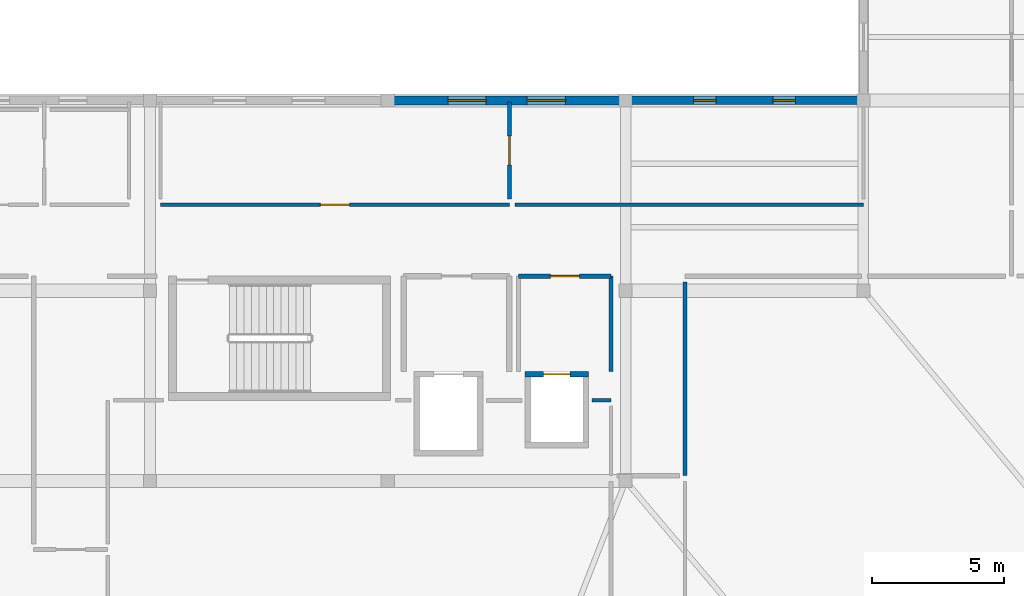
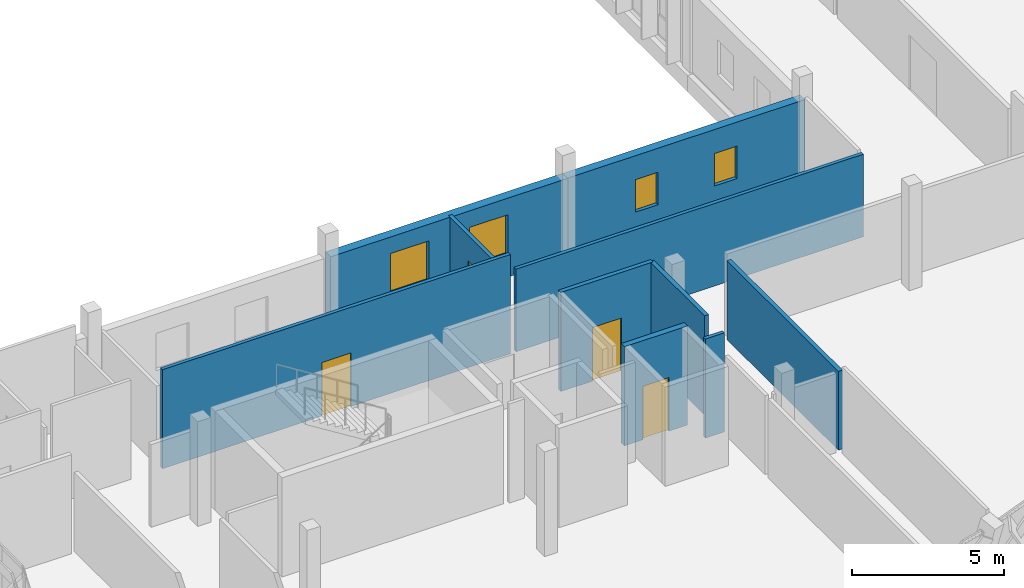
# One storey, part 20 of 24: 10 walls, 4 doors, 4 windows, 8 openings.
"""IFC4 building model written with IfcOpenShell, lengths in metres."""

from ifc_helpers import new_model, si_unit, direction, frame, frame_2d, origin, place, context, subcontext, project, spatial, rectangle, extrude, material, layer, layer_set, type_object, element, fill, save


model = new_model("IFC4")

# Units and contexts
model_context = context("Model", 3, precision=1e-05, world=origin(), true_north=direction((0.0, 1.0)))
body_context = subcontext(model_context, "Body", "Model", "MODEL_VIEW")
ifc_project = project(units=[si_unit("LENGTHUNIT", "METRE"), si_unit("AREAUNIT", "SQUARE_METRE"), si_unit("VOLUMEUNIT", "CUBIC_METRE"), si_unit("PLANEANGLEUNIT", "RADIAN"), si_unit("MASSUNIT", "GRAM", prefix="KILO")], contexts=[model_context])

# Site, building, storey
site_placement = place(None, origin())
site = spatial("IfcSite", under=ifc_project, at=site_placement, CompositionType="ELEMENT")
building_placement = place(site_placement, origin())
building = spatial("IfcBuilding", under=site, at=building_placement, Name="Chiffa Square Polytechnic", CompositionType="ELEMENT")
storey_placement = place(building_placement, frame((0.0, 0.0, 22.199951171875)))
storey = spatial("IfcBuildingStorey", under=building, at=storey_placement, Name="L05", CompositionType="ELEMENT", Elevation=22.199951171875)

# Wall, openings, windows
ifc_material_1 = material(Name="Precast concrete C40/50", Category="concrete")
ifc_layer_1 = layer(ifc_material_1, 0.320068359375, Name="Precast concrete C40/50")
ifc_layer_set_1 = layer_set([ifc_layer_1], Name="Precast concrete C40/50")
wall_type_1 = type_object("IfcWallType", Name="WL-EXT-PC320", PredefinedType="SOLIDWALL", material=ifc_layer_set_1)
wall_1_placement = place(storey_placement, frame((148.199951171875, 28.800048828125, 0.0), z_axis=(0.0, 0.0, 1.0), x_axis=(-1.0, 0.0, 0.0)))
wall_1 = element("IfcWall", 1, at=wall_1_placement, inside=storey, type_object=wall_type_1, Name="Exterior wall WE-V1-L05-0079", PredefinedType="SOLIDWALL", context=body_context, shape_type="SweptSolid", body=[
    extrude(rectangle(XDim=9.0, YDim=0.320068359375, at=frame_2d((4.5, 0.0))), origin(), (0.0, 0.0, 1.0), 3.1650390625),
])
opening_1_placement = place(wall_1_placement, frame((2.574951171875, 0.0, 0.89990234375)))
opening_1 = element("IfcOpeningElement", 2, at=opening_1_placement, cuts=wall_1, Name="Opening W-22", PredefinedType="OPENING", context=body_context, shape_type="SweptSolid", body=[
    extrude(rectangle(XDim=0.85009765625, YDim=1.300048828125, at=frame_2d((0.425048828125, 0.64990234375))), frame((0.0, 0.169921875, 0.0), z_axis=(0.0, -1.0, 0.0), x_axis=(1.0, 0.0, 0.0)), (0.0, 0.0, 1.0), 0.340087890625),
])
opening_2_placement = place(wall_1_placement, frame((5.574951171875, 0.0, 0.89990234375)))
opening_2 = element("IfcOpeningElement", 3, at=opening_2_placement, cuts=wall_1, Name="Opening W-22", PredefinedType="OPENING", context=body_context, shape_type="SweptSolid", body=[
    extrude(rectangle(XDim=0.85009765625, YDim=1.300048828125, at=frame_2d((0.425048828125, 0.64990234375))), frame((0.0, 0.169921875, 0.0), z_axis=(0.0, -1.0, 0.0), x_axis=(1.0, 0.0, 0.0)), (0.0, 0.0, 1.0), 0.340087890625),
])
ifc_material_2 = material(Name="Double glazing in thermally broken aluminium frame", Category="aluminium")
window_type_1 = type_object("IfcWindowType", Name="WIN-OFF-0850X1300", PartitioningType="DOUBLE_PANEL_VERTICAL", PredefinedType="WINDOW", material=ifc_material_2)
window_1_placement = place(opening_1_placement, origin())
window_1 = element("IfcWindow", 4, at=window_1_placement, inside=storey, type_object=window_type_1, Name="Facade window WN-L05-0079", OverallHeight=1.300048828125, OverallWidth=0.85009765625, PartitioningType="DOUBLE_PANEL_VERTICAL", PredefinedType="WINDOW", context=body_context, shape_type="SweptSolid", body=[
    extrude(rectangle(XDim=0.85009765625, YDim=1.300048828125, at=frame_2d((0.425048828125, 0.64990234375))), frame((0.0, 0.030029296875, 0.0), z_axis=(0.0, -1.0, 0.0), x_axis=(1.0, 0.0, 0.0)), (0.0, 0.0, 1.0), 0.06005859375),
])
fill(opening_1, window_1)
window_2_placement = place(opening_2_placement, origin())
window_2 = element("IfcWindow", 5, at=window_2_placement, inside=storey, type_object=window_type_1, Name="Facade window WN-L05-0080", OverallHeight=1.300048828125, OverallWidth=0.85009765625, PartitioningType="DOUBLE_PANEL_VERTICAL", PredefinedType="WINDOW", context=body_context, shape_type="SweptSolid", body=[
    extrude(rectangle(XDim=0.85009765625, YDim=1.300048828125, at=frame_2d((0.425048828125, 0.64990234375))), frame((0.0, 0.030029296875, 0.0), z_axis=(0.0, -1.0, 0.0), x_axis=(1.0, 0.0, 0.0)), (0.0, 0.0, 1.0), 0.06005859375),
])
fill(opening_2, window_2)

ifc_layer_2 = layer(ifc_material_1, 0.340087890625, Name="Precast concrete C40/50")
ifc_layer_set_2 = layer_set([ifc_layer_2], Name="Precast concrete C40/50")
wall_type_2 = type_object("IfcWallType", Name="WL-EXT-PC340", PredefinedType="SOLIDWALL", material=ifc_layer_set_2)
wall_2_placement = place(storey_placement, frame((139.199951171875, 28.800048828125, 0.0), z_axis=(0.0, 0.0, 1.0), x_axis=(-1.0, 0.0, 0.0)))
wall_2 = element("IfcWall", 6, at=wall_2_placement, inside=storey, type_object=wall_type_2, Name="Exterior wall WE-V1-L05-0080", PredefinedType="SOLIDWALL", context=body_context, shape_type="SweptSolid", body=[
    extrude(rectangle(XDim=9.0, YDim=0.340087890625, at=frame_2d((4.5, 0.0))), origin(), (0.0, 0.0, 1.0), 3.1650390625),
])
opening_3_placement = place(wall_2_placement, frame((2.27490234375, 0.0, 0.89990234375)))
opening_3 = element("IfcOpeningElement", 7, at=opening_3_placement, cuts=wall_2, Name="Opening W-16", PredefinedType="OPENING", context=body_context, shape_type="SweptSolid", body=[
    extrude(rectangle(XDim=1.449951171875, YDim=1.60009765625, at=frame_2d((0.72509765625, 0.800048828125))), frame((0.0, 0.18017578125, 0.0), z_axis=(0.0, -1.0, 0.0), x_axis=(1.0, 0.0, 0.0)), (0.0, 0.0, 1.0), 0.360107421875),
])
opening_4_placement = place(wall_2_placement, frame((5.27490234375, 0.0, 0.89990234375)))
opening_4 = element("IfcOpeningElement", 8, at=opening_4_placement, cuts=wall_2, Name="Opening W-16", PredefinedType="OPENING", context=body_context, shape_type="SweptSolid", body=[
    extrude(rectangle(XDim=1.449951171875, YDim=1.60009765625, at=frame_2d((0.72509765625, 0.800048828125))), frame((0.0, 0.18017578125, 0.0), z_axis=(0.0, -1.0, 0.0), x_axis=(1.0, 0.0, 0.0)), (0.0, 0.0, 1.0), 0.360107421875),
])
window_type_2 = type_object("IfcWindowType", Name="WIN-OFF-1450X1600", PartitioningType="DOUBLE_PANEL_VERTICAL", PredefinedType="WINDOW", material=ifc_material_2)
window_3_placement = place(opening_3_placement, origin())
window_3 = element("IfcWindow", 9, at=window_3_placement, inside=storey, type_object=window_type_2, Name="Facade window WN-L05-0081", OverallHeight=1.60009765625, OverallWidth=1.449951171875, PartitioningType="DOUBLE_PANEL_VERTICAL", PredefinedType="WINDOW", context=body_context, shape_type="SweptSolid", body=[
    extrude(rectangle(XDim=1.449951171875, YDim=1.60009765625, at=frame_2d((0.72509765625, 0.800048828125))), frame((0.0, 0.030029296875, 0.0), z_axis=(0.0, -1.0, 0.0), x_axis=(1.0, 0.0, 0.0)), (0.0, 0.0, 1.0), 0.06005859375),
])
fill(opening_3, window_3)
window_4_placement = place(opening_4_placement, origin())
window_4 = element("IfcWindow", 10, at=window_4_placement, inside=storey, type_object=window_type_2, Name="Facade window WN-L05-0082", OverallHeight=1.60009765625, OverallWidth=1.449951171875, PartitioningType="DOUBLE_PANEL_VERTICAL", PredefinedType="WINDOW", context=body_context, shape_type="SweptSolid", body=[
    extrude(rectangle(XDim=1.449951171875, YDim=1.60009765625, at=frame_2d((0.72509765625, 0.800048828125))), frame((0.0, 0.030029296875, 0.0), z_axis=(0.0, -1.0, 0.0), x_axis=(1.0, 0.0, 0.0)), (0.0, 0.0, 1.0), 0.06005859375),
])
fill(opening_4, window_4)

# Wall, opening, door
ifc_material_3 = material(Name="Gypsum board on steel stud", Category="steel")
ifc_layer_3 = layer(ifc_material_3, 0.135009765625, Name="Gypsum board on steel stud")
ifc_layer_set_3 = layer_set([ifc_layer_3], Name="Gypsum board on steel stud")
wall_type_3 = type_object("IfcWallType", Name="WL-PART-135", PredefinedType="PARTITIONING", material=ifc_layer_set_3)
wall_3_placement = place(storey_placement, frame((121.60009765625, 24.85009765625, 0.0), z_axis=(0.0, 0.0, 1.0), x_axis=(1.0, 0.0, 0.0)))
wall_3 = element("IfcWall", 11, at=wall_3_placement, inside=storey, type_object=wall_type_3, Name="Interior partition WP-V1-L05-0676", PredefinedType="PARTITIONING", context=body_context, shape_type="SweptSolid", body=[
    extrude(rectangle(XDim=13.199951171875, YDim=0.135009765625, at=frame_2d((6.60009765625, 0.0))), origin(), (0.0, 0.0, 1.0), 3.97998046875),
])
opening_5_placement = place(wall_3_placement, frame((6.050048828125, 0.0, 0.0)))
opening_5 = element("IfcOpeningElement", 12, at=opening_5_placement, cuts=wall_3, Name="Opening DI-L05-233", PredefinedType="OPENING", context=body_context, shape_type="SweptSolid", body=[
    extrude(rectangle(XDim=1.10009765625, YDim=2.14990234375, at=frame_2d((0.550048828125, 1.074951171875))), frame((0.0, 0.07763671875, 0.0), z_axis=(0.0, -1.0, 0.0), x_axis=(1.0, 0.0, 0.0)), (0.0, 0.0, 1.0), 0.155029296875),
])
ifc_material_4 = material(Name="Solid core ash veneer door")
door_type_1 = type_object("IfcDoorType", Name="DR-INT-1100", OperationType="NOTDEFINED", PredefinedType="DOOR", material=ifc_material_4)
door_1_placement = place(opening_5_placement, origin())
door_1 = element("IfcDoor", 13, at=door_1_placement, inside=storey, type_object=door_type_1, Name="Interior room door DI-L05-233", OperationType="SINGLE_SWING_RIGHT", OverallHeight=2.14990234375, OverallWidth=1.10009765625, PredefinedType="DOOR", context=body_context, shape_type="SweptSolid", body=[
    extrude(rectangle(XDim=1.10009765625, YDim=2.14990234375, at=frame_2d((0.550048828125, 1.074951171875))), frame((0.0, 0.02490234375, 0.0), z_axis=(0.0, -1.0, 0.0), x_axis=(1.0, 0.0, 0.0)), (0.0, 0.0, 1.0), 0.050048828125),
])
fill(opening_5, door_1)

# Walls
wall_4_placement = place(storey_placement, frame((135.02001953125, 24.85009765625, 0.0), z_axis=(0.0, 0.0, 1.0), x_axis=(1.0, 0.0, 0.0)))
element("IfcWall", 14, at=wall_4_placement, inside=storey, type_object=wall_type_3, Name="Interior partition WP-V1-L05-0679", PredefinedType="PARTITIONING", context=body_context, shape_type="SweptSolid", body=[
    extrude(rectangle(XDim=13.179931640625, YDim=0.135009765625, at=frame_2d((6.58984375, 0.0))), origin(), (0.0, 0.0, 1.0), 3.31494140625),
])
wall_5_placement = place(storey_placement, frame((137.929931640625, 17.449951171875, 0.0), z_axis=(0.0, 0.0, 1.0), x_axis=(1.0, 0.0, 0.0)))
element("IfcWall", 15, at=wall_5_placement, inside=storey, type_object=wall_type_3, Name="Interior partition WP-V1-L05-0697", PredefinedType="PARTITIONING", context=body_context, shape_type="SweptSolid", body=[
    extrude(rectangle(XDim=0.719970703125, YDim=0.135009765625, at=frame_2d((0.35986328125, 0.0))), origin(), (0.0, 0.0, 1.0), 3.97998046875),
])

# Wall, opening, door
ifc_layer_4 = layer(ifc_material_3, 0.14501953125, Name="Gypsum board on steel stud")
ifc_layer_set_4 = layer_set([ifc_layer_4], Name="Gypsum board on steel stud")
wall_type_4 = type_object("IfcWallType", Name="WL-PART-145", PredefinedType="PARTITIONING", material=ifc_layer_set_4)
wall_6_placement = place(storey_placement, frame((134.800048828125, 25.070068359375, 0.0), z_axis=(0.0, 0.0, 1.0), x_axis=(0.0, 1.0, 0.0)))
wall_6 = element("IfcWall", 16, at=wall_6_placement, inside=storey, type_object=wall_type_4, Name="Interior partition WP-V1-L05-0678", PredefinedType="PARTITIONING", context=body_context, shape_type="SweptSolid", body=[
    extrude(rectangle(XDim=3.675048828125, YDim=0.14501953125, at=frame_2d((1.83740234375, 0.0))), origin(), (0.0, 0.0, 1.0), 3.1650390625),
])
opening_6_placement = place(wall_6_placement, frame((1.2880859375, 0.0, 0.0)))
opening_6 = element("IfcOpeningElement", 17, at=opening_6_placement, cuts=wall_6, Name="Opening DI-L05-234", PredefinedType="OPENING", context=body_context, shape_type="SweptSolid", body=[
    extrude(rectangle(XDim=1.10009765625, YDim=2.14990234375, at=frame_2d((0.550048828125, 1.074951171875))), frame((0.0, 0.08251953125, 0.0), z_axis=(0.0, -1.0, 0.0), x_axis=(1.0, 0.0, 0.0)), (0.0, 0.0, 1.0), 0.1650390625),
])
door_2_placement = place(opening_6_placement, origin())
door_2 = element("IfcDoor", 18, at=door_2_placement, inside=storey, type_object=door_type_1, Name="Interior room door DI-L05-234", OperationType="SINGLE_SWING_LEFT", OverallHeight=2.14990234375, OverallWidth=1.10009765625, PredefinedType="DOOR", context=body_context, shape_type="SweptSolid", body=[
    extrude(rectangle(XDim=1.10009765625, YDim=2.14990234375, at=frame_2d((0.550048828125, 1.074951171875))), frame((0.0, 0.02490234375, 0.0), z_axis=(0.0, -1.0, 0.0), x_axis=(1.0, 0.0, 0.0)), (0.0, 0.0, 1.0), 0.050048828125),
])
fill(opening_6, door_2)

ifc_material_5 = material(Name="Gypsum board on acoustic steel stud", Category="steel")
ifc_layer_5 = layer(ifc_material_5, 0.159912109375, Name="Gypsum board on acoustic steel stud")
ifc_layer_set_5 = layer_set([ifc_layer_5], Name="Gypsum board on acoustic steel stud")
wall_type_5 = type_object("IfcWallType", Name="WL-PART-EI60-160", PredefinedType="PARTITIONING", material=ifc_layer_set_5)
wall_7_placement = place(storey_placement, frame((135.14990234375, 22.14990234375, 0.0), z_axis=(0.0, 0.0, 1.0), x_axis=(1.0, 0.0, 0.0)))
wall_7 = element("IfcWall", 19, at=wall_7_placement, inside=storey, type_object=wall_type_5, Name="Lift lobby rated enclosure WP-LOB-LP-V1A-L05-NORTH", PredefinedType="PARTITIONING", context=body_context, shape_type="SweptSolid", body=[
    extrude(rectangle(XDim=3.5, YDim=0.159912109375, at=frame_2d((1.75, 0.0))), origin(), (0.0, 0.0, 1.0), 3.97998046875),
])
opening_7_placement = place(wall_7_placement, frame((1.199951171875, 0.0, 0.0)))
opening_7 = element("IfcOpeningElement", 20, at=opening_7_placement, cuts=wall_7, Name="Opening DI-L05-015", PredefinedType="OPENING", context=body_context, shape_type="SweptSolid", body=[
    extrude(rectangle(XDim=1.10009765625, YDim=2.14990234375, at=frame_2d((0.550048828125, 1.074951171875))), frame((0.0, 0.08984375, 0.0), z_axis=(0.0, -1.0, 0.0), x_axis=(1.0, 0.0, 0.0)), (0.0, 0.0, 1.0), 0.179931640625),
])
door_3_placement = place(opening_7_placement, origin())
door_3 = element("IfcDoor", 21, at=door_3_placement, inside=storey, type_object=door_type_1, Name="Lift lobby fire door DI-L05-015", OperationType="SINGLE_SWING_RIGHT", OverallHeight=2.14990234375, OverallWidth=1.10009765625, PredefinedType="DOOR", context=body_context, shape_type="SweptSolid", body=[
    extrude(rectangle(XDim=1.10009765625, YDim=2.14990234375, at=frame_2d((0.550048828125, 1.074951171875))), frame((0.0, 0.02490234375, 0.0), z_axis=(0.0, -1.0, 0.0), x_axis=(1.0, 0.0, 0.0)), (0.0, 0.0, 1.0), 0.050048828125),
])
fill(opening_7, door_3)

# Walls
wall_8_placement = place(storey_placement, frame((138.64990234375, 18.550048828125, 0.0), z_axis=(0.0, 0.0, 1.0), x_axis=(0.0, 1.0, 0.0)))
element("IfcWall", 22, at=wall_8_placement, inside=storey, type_object=wall_type_5, Name="Lift lobby rated enclosure WP-LOB-LP-V1A-L05-EAST", PredefinedType="PARTITIONING", context=body_context, shape_type="SweptSolid", body=[
    extrude(rectangle(XDim=3.599853515625, YDim=0.159912109375, at=frame_2d((1.7998046875, 0.0))), origin(), (0.0, 0.0, 1.0), 3.97998046875),
])
wall_9_placement = place(storey_placement, frame((141.449951171875, 14.60009765625, 0.0), z_axis=(0.0, 0.0, 1.0), x_axis=(0.0, 1.0, 0.0)))
element("IfcWall", 23, at=wall_9_placement, inside=storey, type_object=wall_type_5, Name="Interior partition WP-V1-L05-0691", PredefinedType="PARTITIONING", context=body_context, shape_type="SweptSolid", body=[
    extrude(rectangle(XDim=7.329833984375, YDim=0.159912109375, at=frame_2d((3.6650390625, 0.0))), origin(), (0.0, 0.0, 1.0), 3.1650390625),
])

# Wall, opening, door
ifc_material_6 = material(Name="Concrete C35/45", Category="concrete")
ifc_layer_6 = layer(ifc_material_6, 0.219970703125, Name="Concrete C35/45")
ifc_layer_set_6 = layer_set([ifc_layer_6], Name="Concrete C35/45")
wall_type_6 = type_object("IfcWallType", Name="WL-SHAFT-220", PredefinedType="SHEAR", material=ifc_layer_set_6)
wall_10_placement = place(storey_placement, frame((135.39990234375, 18.43994140625, 0.0), z_axis=(0.0, 0.0, 1.0), x_axis=(1.0, 0.0, 0.0)))
wall_10 = element("IfcWall", 24, at=wall_10_placement, inside=storey, type_object=wall_type_6, Name="Core or enclosure wall WS-LP-V1A-L05-NORTH", PredefinedType="SHEAR", context=body_context, shape_type="SweptSolid", body=[
    extrude(rectangle(XDim=2.400146484375, YDim=0.219970703125, at=frame_2d((1.2001953125, 0.0))), origin(), (0.0, 0.0, 1.0), 3.97998046875),
])
opening_8_placement = place(wall_10_placement, frame((0.699951171875, 0.0, 0.0)))
opening_8 = element("IfcOpeningElement", 25, at=opening_8_placement, cuts=wall_10, Name="Opening LD-LP-V1A-L05", PredefinedType="OPENING", context=body_context, shape_type="SweptSolid", body=[
    extrude(rectangle(XDim=1.0, YDim=2.14990234375, at=frame_2d((0.5, 1.074951171875))), frame((0.0, 0.1201171875, 0.0), z_axis=(0.0, -1.0, 0.0), x_axis=(1.0, 0.0, 0.0)), (0.0, 0.0, 1.0), 0.239990234375),
])
ifc_material_7 = material(Name="Brushed stainless steel sliding landing door", Category="steel")
door_type_2 = type_object("IfcDoorType", Name="DR-LIFT-1000", OperationType="SLIDING_TO_RIGHT", PredefinedType="DOOR", material=ifc_material_7)
door_4_placement = place(opening_8_placement, origin())
door_4 = element("IfcDoor", 26, at=door_4_placement, inside=storey, type_object=door_type_2, Name="Enclosure door LD-LP-V1A-L05", OperationType="SLIDING_TO_RIGHT", OverallHeight=2.14990234375, OverallWidth=1.0, PredefinedType="DOOR", context=body_context, shape_type="SweptSolid", body=[
    extrude(rectangle(XDim=1.0, YDim=2.14990234375, at=frame_2d((0.5, 1.074951171875))), frame((0.0, 0.02490234375, 0.0), z_axis=(0.0, -1.0, 0.0), x_axis=(1.0, 0.0, 0.0)), (0.0, 0.0, 1.0), 0.050048828125),
])
fill(opening_8, door_4)

save(model, "model.ifc")
